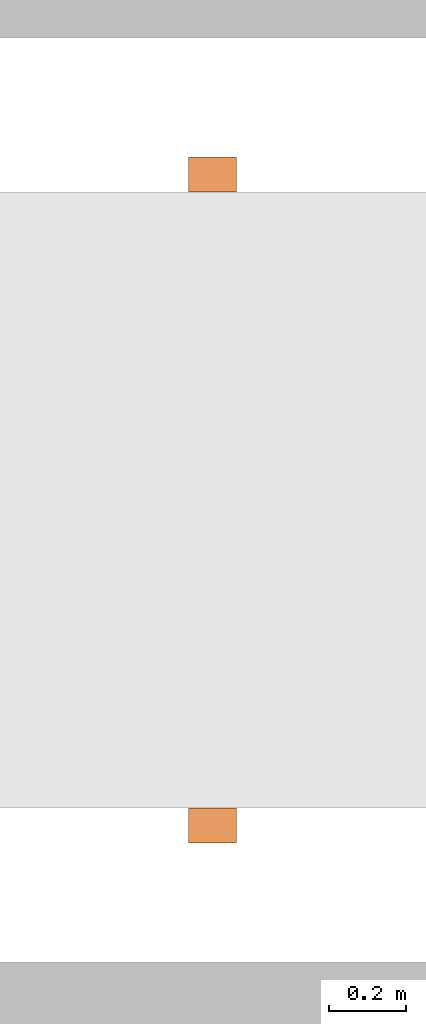
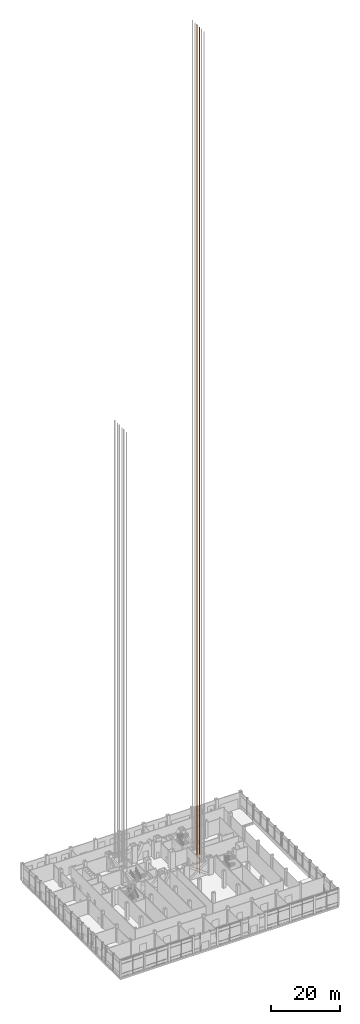
# One storey, part 34 of 35: 1 proxy.
"""IFC4 building model written with IfcOpenShell, lengths in metres."""

from ifc_helpers import new_model, si_unit, direction, frame, origin, origin_2d, place, context, subcontext, project, spatial, rectangle, extrude, material, element, save


model = new_model("IFC4")

# Units and contexts
model_context = context("Model", 3, precision=1e-05, world=origin(), true_north=direction((0.0, 1.0)))
body_context = subcontext(model_context, "Body", "Model", "MODEL_VIEW")
ifc_project = project(units=[si_unit("LENGTHUNIT", "METRE"), si_unit("AREAUNIT", "SQUARE_METRE"), si_unit("VOLUMEUNIT", "CUBIC_METRE"), si_unit("PLANEANGLEUNIT", "RADIAN"), si_unit("MASSUNIT", "GRAM", prefix="KILO")], contexts=[model_context])

# Site, building, storey
site_placement = place(None, origin())
site = spatial("IfcSite", under=ifc_project, at=site_placement, CompositionType="ELEMENT")
building_placement = place(site_placement, origin())
building = spatial("IfcBuilding", under=site, at=building_placement, Name="Kopane Lantern Tower", CompositionType="ELEMENT")
storey_placement = place(building_placement, origin())
storey = spatial("IfcBuildingStorey", under=building, at=storey_placement, Name="L00", CompositionType="ELEMENT", Elevation=0.0)

# Proxy
ifc_material = material(Name="Steel S355JR", Category="steel")
proxy_placement = place(storey_placement, frame((38.949951171875, 28.35009765625, -1.5), z_axis=(0.0, 0.0, 1.0), x_axis=(1.0, 0.0, 0.0)))
element("IfcBuildingElementProxy", 1, at=proxy_placement, inside=storey, material=ifc_material, Name="Lift guide rail frame LR2", ObjectType="LIFT GUIDE RAIL FRAME", PredefinedType="USERDEFINED", context=body_context, shape_type="SweptSolid", body=[
    extrude(rectangle(XDim=0.125, YDim=0.090087890625, at=origin_2d()), frame((0.0, -0.84521484375, 0.0)), (0.0, 0.0, 1.0), 298.60009765625),
    extrude(rectangle(XDim=0.125, YDim=0.090087890625, at=origin_2d()), frame((0.0, 0.844970703125, 0.0)), (0.0, 0.0, 1.0), 298.60009765625),
])

save(model, "model.ifc")
